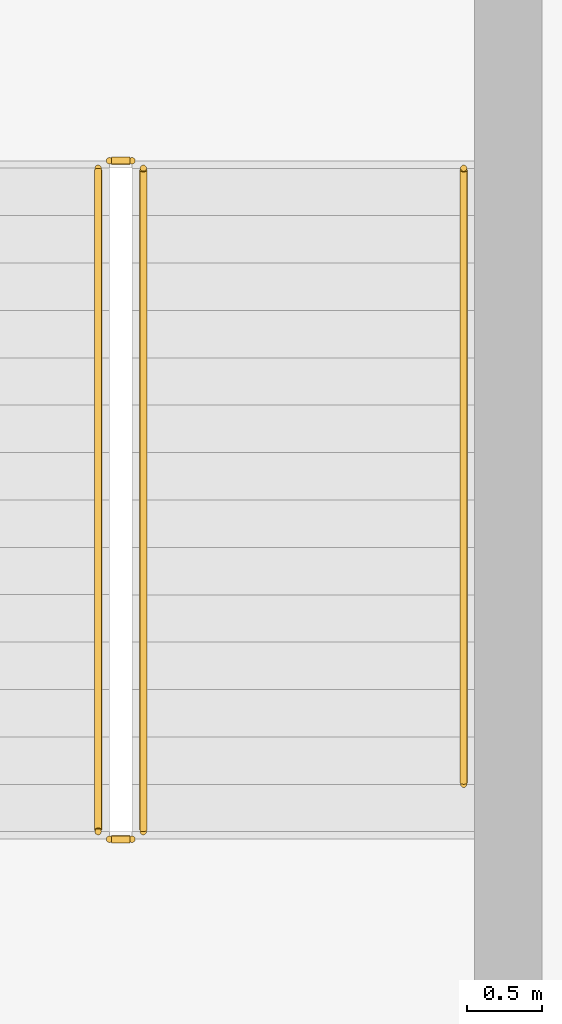
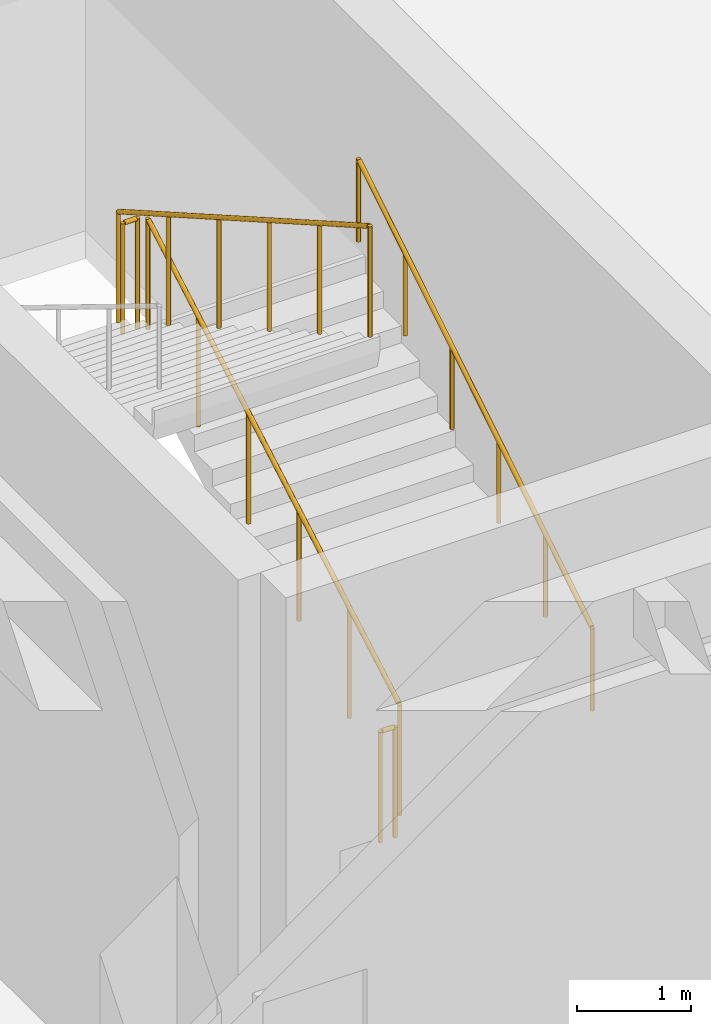
# One storey, part 128 of 134: 5 railings.
"""IFC4 building model written with IfcOpenShell, lengths in metres."""

from ifc_helpers import new_model, si_unit, direction, frame, origin, origin_2d, place, context, subcontext, project, spatial, circle, extrude, material, type_object, element, save


model = new_model("IFC4")

# Units and contexts
model_context = context("Model", 3, precision=1e-05, world=origin(), true_north=direction((0.0, 1.0)))
body_context = subcontext(model_context, "Body", "Model", "MODEL_VIEW")
ifc_project = project(units=[si_unit("LENGTHUNIT", "METRE"), si_unit("AREAUNIT", "SQUARE_METRE"), si_unit("VOLUMEUNIT", "CUBIC_METRE"), si_unit("PLANEANGLEUNIT", "RADIAN"), si_unit("MASSUNIT", "GRAM", prefix="KILO")], contexts=[model_context])

# Site, building, storey
site_placement = place(None, origin())
site = spatial("IfcSite", under=ifc_project, at=site_placement, CompositionType="ELEMENT")
building_placement = place(site_placement, origin())
building = spatial("IfcBuilding", under=site, at=building_placement, Name="Nakhvara Creek Congress Hotel", CompositionType="ELEMENT")
storey_placement = place(building_placement, frame((0.0, 0.0, 6.0)))
storey = spatial("IfcBuildingStorey", under=building, at=storey_placement, Name="L01", CompositionType="ELEMENT", Elevation=6.0)

# Railings
ifc_material = material(Name="Brushed stainless steel 316L", Category="steel")
railing_type_1 = type_object("IfcRailingType", Name="RL-GUARD-1200", PredefinedType="GUARDRAIL", material=ifc_material)
railing_1_placement = place(storey_placement, frame((129.455078125, 32.679931640625, 0.179931640625)))
element("IfcRailing", 1, at=railing_1_placement, inside=storey, type_object=railing_type_1, Name="L01 ST06 stair guard 1", PredefinedType="GUARDRAIL", context=body_context, shape_type="SweptSolid", body=[
    extrude(circle(Radius=0.02392578125, at=origin_2d()), frame((0.0, 0.0126953125, 1.18310546875), z_axis=(0.0, 0.868249057775, 0.496128585825), x_axis=(-1.0, 0.0, 0.0)), (0.0, 0.0, 1.0), 5.050048828125),
    extrude(circle(Radius=0.02099609375, at=origin_2d()), origin(), (0.0, 0.0, 1.0), 1.1806640625),
    extrude(circle(Radius=0.02099609375, at=origin_2d()), frame((0.0, 0.882080078125, 0.50390625)), (0.0, 0.0, 1.0), 1.1806640625),
    extrude(circle(Radius=0.02099609375, at=origin_2d()), frame((0.0, 1.76416015625, 1.008056640625)), (0.0, 0.0, 1.0), 1.1806640625),
    extrude(circle(Radius=0.02099609375, at=origin_2d()), frame((0.0, 2.64599609375, 1.511962890625)), (0.0, 0.0, 1.0), 1.1806640625),
    extrude(circle(Radius=0.02099609375, at=origin_2d()), frame((0.0, 3.528076171875, 2.01611328125)), (0.0, 0.0, 1.0), 1.1806640625),
    extrude(circle(Radius=0.02099609375, at=origin_2d()), frame((0.0, 4.41015625, 2.52001953125)), (0.0, 0.0, 1.0), 1.1806640625),
])
railing_2_placement = place(storey_placement, frame((129.3798828125, 37.139892578125, 2.699951171875)))
element("IfcRailing", 2, at=railing_2_placement, inside=storey, type_object=railing_type_1, Name="L01 ST06 stair guard 2", PredefinedType="GUARDRAIL", context=body_context, shape_type="SweptSolid", body=[
    extrude(circle(Radius=0.02392578125, at=origin_2d()), frame((-0.0146484375, 0.0, 1.17578125), z_axis=(-1.0, 0.0, 0.0), x_axis=(0.0, -1.0, 0.0)), (0.0, 0.0, 1.0), 0.12060546875),
    extrude(circle(Radius=0.02099609375, at=origin_2d()), origin(), (0.0, 0.0, 1.0), 1.1806640625),
    extrude(circle(Radius=0.02099609375, at=origin_2d()), frame((-0.14990234375, 0.0, 0.0)), (0.0, 0.0, 1.0), 1.1806640625),
])
railing_3_placement = place(storey_placement, frame((129.155029296875, 37.090087890625, 2.8798828125)))
element("IfcRailing", 3, at=railing_3_placement, inside=storey, type_object=railing_type_1, Name="L01 ST06 stair guard 3", PredefinedType="GUARDRAIL", context=body_context, shape_type="SweptSolid", body=[
    extrude(circle(Radius=0.02392578125, at=origin_2d()), frame((0.0, -0.0126953125, 1.18310546875), z_axis=(0.0, -0.868249057775, 0.496128585825), x_axis=(1.0, 0.0, 0.0)), (0.0, 0.0, 1.0), 5.050048828125),
    extrude(circle(Radius=0.02099609375, at=origin_2d()), origin(), (0.0, 0.0, 1.0), 1.1806640625),
    extrude(circle(Radius=0.02099609375, at=origin_2d()), frame((0.0, -0.882080078125, 0.50390625)), (0.0, 0.0, 1.0), 1.1806640625),
    extrude(circle(Radius=0.02099609375, at=origin_2d()), frame((0.0, -1.76416015625, 1.008056640625)), (0.0, 0.0, 1.0), 1.1806640625),
    extrude(circle(Radius=0.02099609375, at=origin_2d()), frame((0.0, -2.64599609375, 1.511962890625)), (0.0, 0.0, 1.0), 1.1806640625),
    extrude(circle(Radius=0.02099609375, at=origin_2d()), frame((0.0, -3.528076171875, 2.01611328125)), (0.0, 0.0, 1.0), 1.1806640625),
    extrude(circle(Radius=0.02099609375, at=origin_2d()), frame((0.0, -4.41015625, 2.52001953125)), (0.0, 0.0, 1.0), 1.1806640625),
])
railing_4_placement = place(storey_placement, frame((129.3798828125, 32.6298828125, 0.0)))
element("IfcRailing", 4, at=railing_4_placement, inside=storey, type_object=railing_type_1, Name="L01 ST06 stair guard 4", PredefinedType="GUARDRAIL", context=body_context, shape_type="SweptSolid", body=[
    extrude(circle(Radius=0.02392578125, at=origin_2d()), frame((-0.0146484375, 0.0, 1.17578125), z_axis=(-1.0, 0.0, 0.0), x_axis=(0.0, -1.0, 0.0)), (0.0, 0.0, 1.0), 0.12060546875),
    extrude(circle(Radius=0.02099609375, at=origin_2d()), origin(), (0.0, 0.0, 1.0), 1.1806640625),
    extrude(circle(Radius=0.02099609375, at=origin_2d()), frame((-0.14990234375, 0.0, 0.0)), (0.0, 0.0, 1.0), 1.1806640625),
])
railing_type_2 = type_object("IfcRailingType", Name="RL-HAND-900", PredefinedType="HANDRAIL", material=ifc_material)
railing_5_placement = place(storey_placement, frame((131.5849609375, 32.9951171875, 0.360107421875)))
element("IfcRailing", 5, at=railing_5_placement, inside=storey, type_object=railing_type_2, Name="L01 ST06 stair handrail 1", PredefinedType="HANDRAIL", context=body_context, shape_type="SweptSolid", body=[
    extrude(circle(Radius=0.02392578125, at=origin_2d()), frame((0.0, 0.012451171875, 0.883544921875), z_axis=(0.0, 0.850634571024, 0.52575738376), x_axis=(-1.0, 0.0, 0.0)), (0.0, 0.0, 1.0), 4.78466796875),
    extrude(circle(Radius=0.02099609375, at=origin_2d()), origin(), (0.0, 0.0, 1.0), 0.880615234375),
    extrude(circle(Radius=0.02099609375, at=origin_2d()), frame((0.0, 0.819091796875, 0.506103515625)), (0.0, 0.0, 1.0), 0.880615234375),
    extrude(circle(Radius=0.02099609375, at=origin_2d()), frame((0.0, 1.637939453125, 1.012451171875)), (0.0, 0.0, 1.0), 0.880615234375),
    extrude(circle(Radius=0.02099609375, at=origin_2d()), frame((0.0, 2.45703125, 1.5185546875)), (0.0, 0.0, 1.0), 0.880615234375),
    extrude(circle(Radius=0.02099609375, at=origin_2d()), frame((0.0, 3.27587890625, 2.02490234375)), (0.0, 0.0, 1.0), 0.880615234375),
    extrude(circle(Radius=0.02099609375, at=origin_2d()), frame((0.0, 4.094970703125, 2.531005859375)), (0.0, 0.0, 1.0), 0.880615234375),
])

save(model, "model.ifc")
